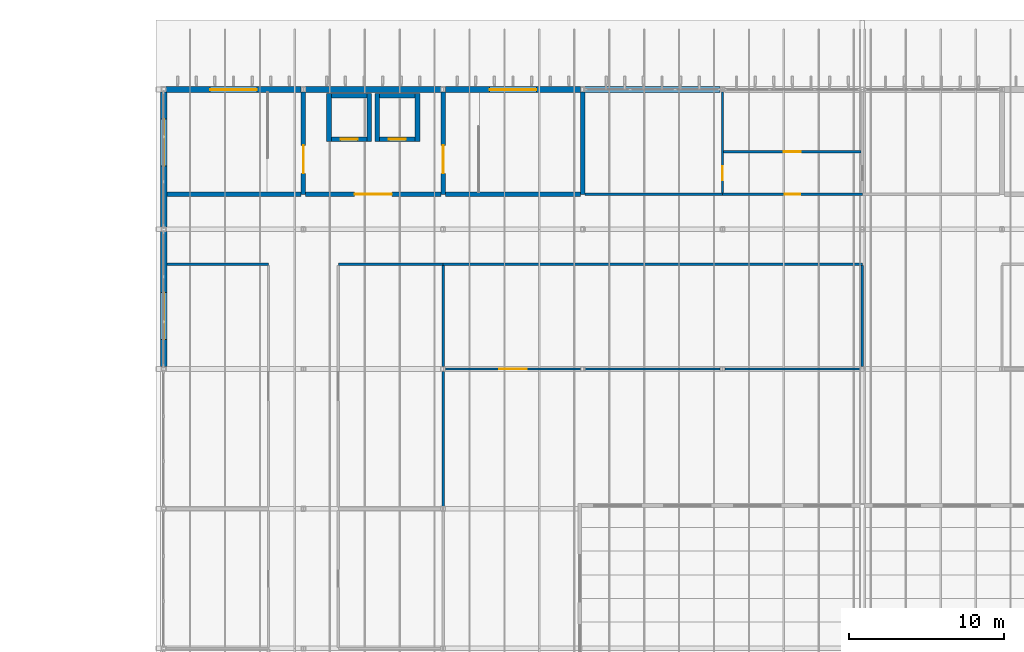
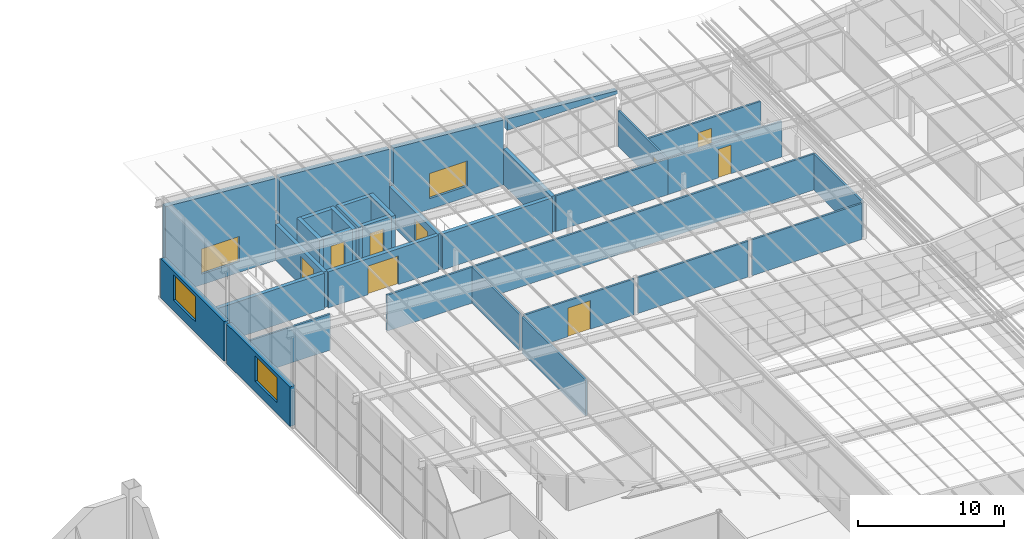
# One storey, part 75 of 85: 33 walls, 9 doors, 4 windows, 13 openings.
"""IFC4 building model written with IfcOpenShell, lengths in metres."""

from ifc_helpers import new_model, si_unit, direction, frame, frame_2d, origin, place, context, subcontext, project, spatial, polyline, rectangle, outline, extrude, material, layer, layer_set, type_object, element, fill, save


model = new_model("IFC4")

# Units and contexts
model_context = context("Model", 3, precision=1e-05, world=origin(), true_north=direction((0.0, 1.0)))
body_context = subcontext(model_context, "Body", "Model", "MODEL_VIEW")
ifc_project = project(units=[si_unit("LENGTHUNIT", "METRE"), si_unit("AREAUNIT", "SQUARE_METRE"), si_unit("VOLUMEUNIT", "CUBIC_METRE"), si_unit("PLANEANGLEUNIT", "RADIAN"), si_unit("MASSUNIT", "GRAM", prefix="KILO")], contexts=[model_context])

# Site, building, storey
site_placement = place(None, origin())
site = spatial("IfcSite", under=ifc_project, at=site_placement, CompositionType="ELEMENT")
building_placement = place(site_placement, origin())
building = spatial("IfcBuilding", under=site, at=building_placement, Name="Opaline Strait Convention Centre", CompositionType="ELEMENT")
storey_placement = place(building_placement, frame((0.0, 0.0, 17.0)))
storey = spatial("IfcBuildingStorey", under=building, at=storey_placement, Name="L03", CompositionType="ELEMENT", Elevation=17.0)

# Walls
ifc_material_1 = material(Name="Gypsum board")
ifc_layer_1 = layer(ifc_material_1, 0.032470703125)
ifc_material_2 = material(Name="Steel stud and mineral wool", Category="steel")
ifc_layer_2 = layer(ifc_material_2, 0.0849609375)
ifc_layer_3 = layer(ifc_material_1, 0.032470703125)
ifc_layer_set_1 = layer_set([ifc_layer_1, ifc_layer_2, ifc_layer_3], Name="Gypsum board, Steel stud and mineral wool, Gypsum board")
wall_type_1 = type_object("IfcWallType", Name="Corridor partition 150 EI60", PredefinedType="PARTITIONING", material=ifc_layer_set_1)
wall_1_placement = place(storey_placement, frame((279.199951171875, 168.75, 0.0), z_axis=(0.0, 0.0, 1.0), x_axis=(1.0, 0.0, 0.0)))
element("IfcWall", 1, at=wall_1_placement, inside=storey, type_object=wall_type_1, Name="MPW1 partition Meeting Room 3.06 N", PredefinedType="PARTITIONING", context=body_context, shape_type="SweptSolid", body=[
    extrude(rectangle(XDim=6.550048828125, YDim=0.14990234375, at=frame_2d((3.27490234375, 0.0))), origin(), (0.0, 0.0, 1.0), 3.0),
])
wall_2_placement = place(storey_placement, frame((290.25, 168.75, 0.0), z_axis=(0.0, 0.0, 1.0), x_axis=(1.0, 0.0, 0.0)))
element("IfcWall", 2, at=wall_2_placement, inside=storey, type_object=wall_type_1, Name="MPW1 partition Meeting Room 3.11 N", PredefinedType="PARTITIONING", context=body_context, shape_type="SweptSolid", body=[
    extrude(rectangle(XDim=6.75, YDim=0.14990234375, at=frame_2d((3.375, 0.0))), origin(), (0.0, 0.0, 1.0), 3.0),
])
wall_3_placement = place(storey_placement, frame((297.0, 153.14990234375, 0.0), z_axis=(0.0, 0.0, 1.0), x_axis=(0.0, 1.0, 0.0)))
element("IfcWall", 3, at=wall_3_placement, inside=storey, type_object=wall_type_1, Name="MPW1 partition Meeting Room 3.11 E", PredefinedType="PARTITIONING", context=body_context, shape_type="SweptSolid", body=[
    extrude(rectangle(XDim=8.7001953125, YDim=0.14990234375, at=frame_2d((4.35009765625, 0.0))), origin(), (0.0, 0.0, 1.0), 3.0),
])
wall_4_placement = place(storey_placement, frame((297.0, 162.14990234375, 0.0), z_axis=(0.0, 0.0, 1.0), x_axis=(0.0, 1.0, 0.0)))
element("IfcWall", 4, at=wall_4_placement, inside=storey, type_object=wall_type_1, Name="MPW1 partition Meeting Room 3.11 E", PredefinedType="PARTITIONING", context=body_context, shape_type="SweptSolid", body=[
    extrude(rectangle(XDim=6.525146484375, YDim=0.14990234375, at=frame_2d((3.2626953125, 0.0))), origin(), (0.0, 0.0, 1.0), 3.0),
])

# Wall, opening, door
wall_5_placement = place(storey_placement, frame((297.14990234375, 162.0, 0.0), z_axis=(0.0, 0.0, 1.0), x_axis=(1.0, 0.0, 0.0)))
wall_5 = element("IfcWall", 5, at=wall_5_placement, inside=storey, type_object=wall_type_1, Name="MPW1 partition Seminar Room 3.19 S", PredefinedType="PARTITIONING", context=body_context, shape_type="SweptSolid", body=[
    extrude(rectangle(XDim=8.7001953125, YDim=0.14990234375, at=frame_2d((4.35009765625, 0.0))), origin(), (0.0, 0.0, 1.0), 3.0),
])
opening_1_placement = place(wall_5_placement, frame((3.4501953125, 0.0, 0.0)))
opening_1 = element("IfcOpeningElement", 6, at=opening_1_placement, cuts=wall_5, Name="Opening M3-039", PredefinedType="OPENING", context=body_context, shape_type="SweptSolid", body=[
    extrude(rectangle(XDim=1.800048828125, YDim=2.39990234375, at=frame_2d((0.89990234375, 1.199951171875))), frame((0.0, 0.0849609375, 0.0), z_axis=(0.0, -1.0, 0.0), x_axis=(1.0, 0.0, 0.0)), (0.0, 0.0, 1.0), 0.169921875),
])
ifc_material_3 = material(Name="Solid-core timber leaf, steel frame door set", Category="steel")
door_type_1 = type_object("IfcDoorType", Name="Meeting room double door FD30 1800 x 2400", OperationType="DOUBLE_DOOR_SINGLE_SWING", PredefinedType="DOOR", material=ifc_material_3)
door_1_placement = place(opening_1_placement, frame((1.800048828125, 0.0, 0.0), z_axis=(0.0, 0.0, 1.0), x_axis=(-1.0, 0.0, 0.0)))
door_1 = element("IfcDoor", 7, at=door_1_placement, inside=storey, type_object=door_type_1, Name="Door Seminar Room 3.19", ObjectType="MD7", OperationType="DOUBLE_DOOR_SINGLE_SWING", OverallHeight=2.39990234375, OverallWidth=1.800048828125, PredefinedType="DOOR", context=body_context, shape_type="SweptSolid", body=[
    extrude(rectangle(XDim=1.800048828125, YDim=2.39990234375, at=frame_2d((0.89990234375, 1.199951171875))), frame((0.0, 0.02490234375, 0.0), z_axis=(0.0, -1.0, 0.0), x_axis=(1.0, 0.0, 0.0)), (0.0, 0.0, 1.0), 0.050048828125),
])
fill(opening_1, door_1)

# Walls
for number, where, z_axis, x_axis, name in (
    (8, (306.14990234375, 162.0, 0.0), (0.0, 0.0, 1.0), (1.0, 0.0, 0.0), "MPW1 partition Seminar Room 3.19 S"),
    (9, (315.14990234375, 162.0, 0.0), (0.0, 0.0, 1.0), (1.0, 0.0, 0.0), "MPW1 partition Seminar Room 3.19 S"),
):
    element("IfcWall", number, at=place(storey_placement, frame(where, z_axis=z_axis, x_axis=x_axis)), inside=storey, type_object=wall_type_1, Name=name, PredefinedType="PARTITIONING", context=body_context, shape_type="SweptSolid", body=[
        extrude(rectangle(XDim=8.7001953125, YDim=0.14990234375, at=frame_2d((4.35009765625, 0.0))), origin(), (0.0, 0.0, 1.0), 3.0),
    ])
wall_6_placement = place(storey_placement, frame((297.0, 168.75, 0.0), z_axis=(0.0, 0.0, 1.0), x_axis=(1.0, 0.0, 0.0)))
element("IfcWall", 10, at=wall_6_placement, inside=storey, type_object=wall_type_1, Name="MPW1 partition Seminar Room 3.19 N", PredefinedType="PARTITIONING", context=body_context, shape_type="SweptSolid", body=[
    extrude(rectangle(XDim=27.0, YDim=0.14990234375, at=frame_2d((13.5, 0.0))), origin(), (0.0, 0.0, 1.0), 3.0),
])
wall_7_placement = place(storey_placement, frame((324.0, 162.14990234375, 0.0), z_axis=(0.0, 0.0, 1.0), x_axis=(0.0, 1.0, 0.0)))
element("IfcWall", 11, at=wall_7_placement, inside=storey, type_object=wall_type_1, Name="MPW1 partition Seminar Room 3.19 E", PredefinedType="PARTITIONING", context=body_context, shape_type="SweptSolid", body=[
    extrude(rectangle(XDim=6.525146484375, YDim=0.14990234375, at=frame_2d((3.2626953125, 0.0))), origin(), (0.0, 0.0, 1.0), 3.0),
])
wall_8_placement = place(storey_placement, frame((306.14990234375, 173.25, 0.0), z_axis=(0.0, 0.0, 1.0), x_axis=(1.0, 0.0, 0.0)))
element("IfcWall", 12, at=wall_8_placement, inside=storey, type_object=wall_type_1, Name="MPW1 partition Men's WC 3.N S", PredefinedType="PARTITIONING", context=body_context, shape_type="SweptSolid", body=[
    extrude(rectangle(XDim=8.85009765625, YDim=0.14990234375, at=frame_2d((4.425048828125, 0.0))), origin(), (0.0, 0.0, 1.0), 3.0),
])

# Wall, opening, door
wall_9_placement = place(storey_placement, frame((315.0, 173.25, 0.0), z_axis=(0.0, 0.0, 1.0), x_axis=(1.0, 0.0, 0.0)))
wall_9 = element("IfcWall", 13, at=wall_9_placement, inside=storey, type_object=wall_type_1, Name="MPW1 partition WC Lobby 3.N S", PredefinedType="PARTITIONING", context=body_context, shape_type="SweptSolid", body=[
    extrude(rectangle(XDim=9.0, YDim=0.14990234375, at=frame_2d((4.5, 0.0))), origin(), (0.0, 0.0, 1.0), 3.0),
])
opening_2_placement = place(wall_9_placement, frame((4.0, 0.0, 0.0)))
opening_2 = element("IfcOpeningElement", 14, at=opening_2_placement, cuts=wall_9, Name="Opening M3-054", PredefinedType="OPENING", context=body_context, shape_type="SweptSolid", body=[
    extrude(rectangle(XDim=1.0, YDim=2.39990234375, at=frame_2d((0.5, 1.199951171875))), frame((0.0, 0.0849609375, 0.0), z_axis=(0.0, -1.0, 0.0), x_axis=(1.0, 0.0, 0.0)), (0.0, 0.0, 1.0), 0.169921875),
])
door_type_2 = type_object("IfcDoorType", Name="Meeting room door FD30 1000 x 2400", OperationType="SINGLE_SWING_LEFT", PredefinedType="DOOR", material=ifc_material_3)
door_2_placement = place(opening_2_placement, frame((1.0, 0.0, 0.0), z_axis=(0.0, 0.0, 1.0), x_axis=(-1.0, 0.0, 0.0)))
door_2 = element("IfcDoor", 15, at=door_2_placement, inside=storey, type_object=door_type_2, Name="Door WC Lobby 3.N", ObjectType="MD8", OperationType="SINGLE_SWING_LEFT", OverallHeight=2.39990234375, OverallWidth=1.0, PredefinedType="DOOR", context=body_context, shape_type="SweptSolid", body=[
    extrude(rectangle(XDim=1.0, YDim=2.39990234375, at=frame_2d((0.5, 1.199951171875))), frame((0.0, 0.02490234375, 0.0), z_axis=(0.0, -1.0, 0.0), x_axis=(1.0, 0.0, 0.0)), (0.0, 0.0, 1.0), 0.050048828125),
])
fill(opening_2, door_2)

# Wall, opening, window
ifc_material_4 = material(Name="Concrete C40 precast", Category="concrete")
ifc_layer_4 = layer(ifc_material_4, 0.10009765625)
ifc_material_5 = material(Name="Mineral wool insulation")
ifc_layer_5 = layer(ifc_material_5, 0.14990234375)
ifc_layer_6 = layer(ifc_material_4, 0.14990234375)
ifc_layer_set_2 = layer_set([ifc_layer_4, ifc_layer_5, ifc_layer_6], Name="Concrete C40 precast, Mineral wool insulation, Concrete C40 precast")
wall_type_2 = type_object("IfcWallType", Name="External wall 400 insulated precast EI60", PredefinedType="STANDARD", material=ifc_layer_set_2)
wall_10_placement = place(storey_placement, frame((279.14990234375, 180.0, 0.0), z_axis=(0.0, 0.0, 1.0), x_axis=(1.0, 0.0, 0.0)))
wall_10 = element("IfcWall", 16, at=wall_10_placement, inside=storey, type_object=wall_type_2, Name="External wall N L03 32/W", PredefinedType="STANDARD", context=body_context, shape_type="SweptSolid", body=[
    extrude(outline(polyline([(0.0, 0.0), (8.7001953125, 0.0), (8.699951171875, 6.844970703125), (0.0, 7.52978515625), (0.0, 0.0)])), frame((0.0, 0.199951171875, 0.0), z_axis=(0.0, -1.0, 0.0), x_axis=(1.0, 0.0, 0.0)), (0.0, 0.0, 1.0), 0.39990234375),
])
opening_3_placement = place(wall_10_placement, frame((2.85009765625, 0.0, 0.89990234375)))
opening_3 = element("IfcOpeningElement", 17, at=opening_3_placement, cuts=wall_10, Name="Opening MW2", PredefinedType="OPENING", context=body_context, shape_type="SweptSolid", body=[
    extrude(rectangle(XDim=3.0, YDim=2.10009765625, at=frame_2d((1.5, 1.050048828125))), frame((0.0, 0.2099609375, 0.0), z_axis=(0.0, -1.0, 0.0), x_axis=(1.0, 0.0, 0.0)), (0.0, 0.0, 1.0), 0.419921875),
])
ifc_material_6 = material(Name="Aluminium framed double glazing", Category="aluminium")
window_type = type_object("IfcWindowType", Name="Window 3000 x 2100", PartitioningType="TRIPLE_PANEL_VERTICAL", PredefinedType="WINDOW", material=ifc_material_6)
window_1_placement = place(opening_3_placement, origin())
window_1 = element("IfcWindow", 18, at=window_1_placement, inside=storey, type_object=window_type, Name="Window Escape Stair S5 N", OverallHeight=2.10009765625, OverallWidth=3.0, PartitioningType="TRIPLE_PANEL_VERTICAL", PredefinedType="WINDOW", context=body_context, shape_type="SweptSolid", body=[
    extrude(rectangle(XDim=3.0, YDim=2.10009765625, at=frame_2d((1.5, 1.050048828125))), frame((0.0, 0.030029296875, 0.0), z_axis=(0.0, -1.0, 0.0), x_axis=(1.0, 0.0, 0.0)), (0.0, 0.0, 1.0), 0.06005859375),
])
fill(opening_3, window_1)

# Wall
wall_11_placement = place(storey_placement, frame((288.14990234375, 180.0, 0.0), z_axis=(0.0, 0.0, 1.0), x_axis=(1.0, 0.0, 0.0)))
element("IfcWall", 19, at=wall_11_placement, inside=storey, type_object=wall_type_2, Name="External wall N L03 33/W", PredefinedType="STANDARD", context=body_context, shape_type="SweptSolid", body=[
    extrude(outline(polyline([(0.0, 0.0), (8.7001953125, 0.0), (8.699951171875, 6.13671875), (0.0, 6.821533203125), (0.0, 0.0)])), frame((0.0, 0.199951171875, 0.0), z_axis=(0.0, -1.0, 0.0), x_axis=(1.0, 0.0, 0.0)), (0.0, 0.0, 1.0), 0.39990234375),
])

# Wall, opening, window
wall_12_placement = place(storey_placement, frame((297.14990234375, 180.0, 0.0), z_axis=(0.0, 0.0, 1.0), x_axis=(1.0, 0.0, 0.0)))
wall_12 = element("IfcWall", 20, at=wall_12_placement, inside=storey, type_object=wall_type_2, Name="External wall N L03 34/W", PredefinedType="STANDARD", context=body_context, shape_type="SweptSolid", body=[
    extrude(outline(polyline([(0.0, 0.0), (8.7001953125, 0.0), (8.699951171875, 5.428466796875), (0.0, 6.113037109375), (0.0, 0.0)])), frame((0.0, 0.199951171875, 0.0), z_axis=(0.0, -1.0, 0.0), x_axis=(1.0, 0.0, 0.0)), (0.0, 0.0, 1.0), 0.39990234375),
])
opening_4_placement = place(wall_12_placement, frame((2.85009765625, 0.0, 0.89990234375)))
opening_4 = element("IfcOpeningElement", 21, at=opening_4_placement, cuts=wall_12, Name="Opening MW2", PredefinedType="OPENING", context=body_context, shape_type="SweptSolid", body=[
    extrude(rectangle(XDim=3.0, YDim=2.10009765625, at=frame_2d((1.5, 1.050048828125))), frame((0.0, 0.2099609375, 0.0), z_axis=(0.0, -1.0, 0.0), x_axis=(1.0, 0.0, 0.0)), (0.0, 0.0, 1.0), 0.419921875),
])
window_2_placement = place(opening_4_placement, origin())
window_2 = element("IfcWindow", 22, at=window_2_placement, inside=storey, type_object=window_type, Name="Window Escape Stair S6 N", OverallHeight=2.10009765625, OverallWidth=3.0, PartitioningType="TRIPLE_PANEL_VERTICAL", PredefinedType="WINDOW", context=body_context, shape_type="SweptSolid", body=[
    extrude(rectangle(XDim=3.0, YDim=2.10009765625, at=frame_2d((1.5, 1.050048828125))), frame((0.0, 0.030029296875, 0.0), z_axis=(0.0, -1.0, 0.0), x_axis=(1.0, 0.0, 0.0)), (0.0, 0.0, 1.0), 0.06005859375),
])
fill(opening_4, window_2)

# Wall
wall_13_placement = place(storey_placement, frame((306.14990234375, 180.0, 4.449951171875), z_axis=(0.0, 0.0, 1.0), x_axis=(1.0, 0.0, 0.0)))
element("IfcWall", 23, at=wall_13_placement, inside=storey, type_object=wall_type_2, Name="External wall N L03 35/W", PredefinedType="STANDARD", context=body_context, shape_type="SweptSolid", body=[
    extrude(outline(polyline([(0.0, 0.0), (8.7001953125, 0.0), (8.699951171875, 0.270263671875), (0.0, 0.954833984375), (0.0, 0.0)])), frame((0.0, 0.199951171875, 0.0), z_axis=(0.0, -1.0, 0.0), x_axis=(1.0, 0.0, 0.0)), (0.0, 0.0, 1.0), 0.39990234375),
])

# Wall, opening, window
wall_14_placement = place(storey_placement, frame((279.0, 162.14990234375, 0.0), z_axis=(0.0, 0.0, 1.0), x_axis=(0.0, 1.0, 0.0)))
wall_14 = element("IfcWall", 24, at=wall_14_placement, inside=storey, type_object=wall_type_2, Name="External wall W L03 32/U", PredefinedType="STANDARD", context=body_context, shape_type="SweptSolid", body=[
    extrude(rectangle(XDim=8.7001953125, YDim=0.39990234375, at=frame_2d((4.35009765625, 0.0))), origin(), (0.0, 0.0, 1.0), 3.300048828125),
])
opening_5_placement = place(wall_14_placement, frame((1.7626953125, 0.0, 0.89990234375)))
opening_5 = element("IfcOpeningElement", 25, at=opening_5_placement, cuts=wall_14, Name="Opening MW2", PredefinedType="OPENING", context=body_context, shape_type="SweptSolid", body=[
    extrude(rectangle(XDim=3.0, YDim=2.10009765625, at=frame_2d((1.5, 1.050048828125))), frame((0.0, 0.2099609375, 0.0), z_axis=(0.0, -1.0, 0.0), x_axis=(1.0, 0.0, 0.0)), (0.0, 0.0, 1.0), 0.419921875),
])
window_3_placement = place(opening_5_placement, origin())
window_3 = element("IfcWindow", 26, at=window_3_placement, inside=storey, type_object=window_type, Name="Window Meeting Room 3.06 W", OverallHeight=2.10009765625, OverallWidth=3.0, PartitioningType="TRIPLE_PANEL_VERTICAL", PredefinedType="WINDOW", context=body_context, shape_type="SweptSolid", body=[
    extrude(rectangle(XDim=3.0, YDim=2.10009765625, at=frame_2d((1.5, 1.050048828125))), frame((0.0, 0.030029296875, 0.0), z_axis=(0.0, -1.0, 0.0), x_axis=(1.0, 0.0, 0.0)), (0.0, 0.0, 1.0), 0.06005859375),
])
fill(opening_5, window_3)

wall_15_placement = place(storey_placement, frame((279.0, 171.14990234375, 0.0), z_axis=(0.0, 0.0, 1.0), x_axis=(0.0, 1.0, 0.0)))
wall_15 = element("IfcWall", 27, at=wall_15_placement, inside=storey, type_object=wall_type_2, Name="External wall W L03 32/V", PredefinedType="STANDARD", context=body_context, shape_type="SweptSolid", body=[
    extrude(rectangle(XDim=8.7001953125, YDim=0.39990234375, at=frame_2d((4.35009765625, 0.0))), origin(), (0.0, 0.0, 1.0), 3.300048828125),
])
opening_6_placement = place(wall_15_placement, frame((3.9375, 0.0, 0.89990234375)))
opening_6 = element("IfcOpeningElement", 28, at=opening_6_placement, cuts=wall_15, Name="Opening MW2", PredefinedType="OPENING", context=body_context, shape_type="SweptSolid", body=[
    extrude(rectangle(XDim=3.0, YDim=2.10009765625, at=frame_2d((1.5, 1.050048828125))), frame((0.0, 0.2099609375, 0.0), z_axis=(0.0, -1.0, 0.0), x_axis=(1.0, 0.0, 0.0)), (0.0, 0.0, 1.0), 0.419921875),
])
window_4_placement = place(opening_6_placement, origin())
window_4 = element("IfcWindow", 29, at=window_4_placement, inside=storey, type_object=window_type, Name="Window Escape Stair S5 W", OverallHeight=2.10009765625, OverallWidth=3.0, PartitioningType="TRIPLE_PANEL_VERTICAL", PredefinedType="WINDOW", context=body_context, shape_type="SweptSolid", body=[
    extrude(rectangle(XDim=3.0, YDim=2.10009765625, at=frame_2d((1.5, 1.050048828125))), frame((0.0, 0.030029296875, 0.0), z_axis=(0.0, -1.0, 0.0), x_axis=(1.0, 0.0, 0.0)), (0.0, 0.0, 1.0), 0.06005859375),
])
fill(opening_6, window_4)

# Wall, opening, door
ifc_material_7 = material(Name="Concrete C40", Category="concrete")
ifc_layer_7 = layer(ifc_material_7, 0.300048828125)
ifc_layer_set_3 = layer_set([ifc_layer_7], Name="Concrete C40")
wall_type_3 = type_object("IfcWallType", Name="RC core wall 300 C40", PredefinedType="SHEAR", material=ifc_layer_set_3)
wall_16_placement = place(storey_placement, frame((288.0, 173.25, 0.0), z_axis=(0.0, 0.0, 1.0), x_axis=(0.0, 1.0, 0.0)))
wall_16 = element("IfcWall", 30, at=wall_16_placement, inside=storey, type_object=wall_type_3, Name="Core wall NW-L03", PredefinedType="SHEAR", context=body_context, shape_type="SweptSolid", body=[
    extrude(rectangle(XDim=6.60009765625, YDim=0.300048828125, at=frame_2d((3.300048828125, 0.0))), origin(), (0.0, 0.0, 1.0), 3.0),
])
opening_7_placement = place(wall_16_placement, frame((1.35009765625, 0.0, 0.0)))
opening_7 = element("IfcOpeningElement", 31, at=opening_7_placement, cuts=wall_16, Name="Opening M3-011", PredefinedType="OPENING", context=body_context, shape_type="SweptSolid", body=[
    extrude(rectangle(XDim=1.800048828125, YDim=2.39990234375, at=frame_2d((0.89990234375, 1.199951171875))), frame((0.0, 0.159912109375, 0.0), z_axis=(0.0, -1.0, 0.0), x_axis=(1.0, 0.0, 0.0)), (0.0, 0.0, 1.0), 0.320068359375),
])
ifc_material_8 = material(Name="Steel Q235B", Category="steel")
door_type_3 = type_object("IfcDoorType", Name="Stair door FD60 1800 x 2400", OperationType="DOUBLE_DOOR_SINGLE_SWING", PredefinedType="DOOR", material=ifc_material_8)
door_3_placement = place(opening_7_placement, frame((1.800048828125, 0.0, 0.0), z_axis=(0.0, 0.0, 1.0), x_axis=(-1.0, 0.0, 0.0)))
door_3 = element("IfcDoor", 32, at=door_3_placement, inside=storey, type_object=door_type_3, Name="Escape stair S5 door L03", ObjectType="MD4", OperationType="DOUBLE_DOOR_SINGLE_SWING", OverallHeight=2.39990234375, OverallWidth=1.800048828125, PredefinedType="DOOR", context=body_context, shape_type="SweptSolid", body=[
    extrude(rectangle(XDim=1.800048828125, YDim=2.39990234375, at=frame_2d((0.89990234375, 1.199951171875))), frame((0.0, 0.02490234375, 0.0), z_axis=(0.0, -1.0, 0.0), x_axis=(1.0, 0.0, 0.0)), (0.0, 0.0, 1.0), 0.050048828125),
])
fill(opening_7, door_3)

wall_17_placement = place(storey_placement, frame((297.0, 173.25, 0.0), z_axis=(0.0, 0.0, 1.0), x_axis=(0.0, 1.0, 0.0)))
wall_17 = element("IfcWall", 33, at=wall_17_placement, inside=storey, type_object=wall_type_3, Name="Core wall NW-L03", PredefinedType="SHEAR", context=body_context, shape_type="SweptSolid", body=[
    extrude(rectangle(XDim=6.60009765625, YDim=0.300048828125, at=frame_2d((3.300048828125, 0.0))), origin(), (0.0, 0.0, 1.0), 3.0),
])
opening_8_placement = place(wall_17_placement, frame((1.35009765625, 0.0, 0.0)))
opening_8 = element("IfcOpeningElement", 34, at=opening_8_placement, cuts=wall_17, Name="Opening M3-012", PredefinedType="OPENING", context=body_context, shape_type="SweptSolid", body=[
    extrude(rectangle(XDim=1.800048828125, YDim=2.39990234375, at=frame_2d((0.89990234375, 1.199951171875))), frame((0.0, 0.159912109375, 0.0), z_axis=(0.0, -1.0, 0.0), x_axis=(1.0, 0.0, 0.0)), (0.0, 0.0, 1.0), 0.320068359375),
])
door_4_placement = place(opening_8_placement, origin())
door_4 = element("IfcDoor", 35, at=door_4_placement, inside=storey, type_object=door_type_3, Name="Escape stair S6 door L03", ObjectType="MD4", OperationType="DOUBLE_DOOR_SINGLE_SWING", OverallHeight=2.39990234375, OverallWidth=1.800048828125, PredefinedType="DOOR", context=body_context, shape_type="SweptSolid", body=[
    extrude(rectangle(XDim=1.800048828125, YDim=2.39990234375, at=frame_2d((0.89990234375, 1.199951171875))), frame((0.0, 0.02490234375, 0.0), z_axis=(0.0, -1.0, 0.0), x_axis=(1.0, 0.0, 0.0)), (0.0, 0.0, 1.0), 0.050048828125),
])
fill(opening_8, door_4)

# Walls
wall_18_placement = place(storey_placement, frame((306.0, 173.25, 0.0), z_axis=(0.0, 0.0, 1.0), x_axis=(0.0, 1.0, 0.0)))
element("IfcWall", 36, at=wall_18_placement, inside=storey, type_object=wall_type_3, Name="Core wall NW-L03", PredefinedType="SHEAR", context=body_context, shape_type="SweptSolid", body=[
    extrude(rectangle(XDim=6.60009765625, YDim=0.300048828125, at=frame_2d((3.300048828125, 0.0))), origin(), (0.0, 0.0, 1.0), 3.0),
])
wall_19_placement = place(storey_placement, frame((279.199951171875, 173.25, 0.0), z_axis=(0.0, 0.0, 1.0), x_axis=(1.0, 0.0, 0.0)))
element("IfcWall", 37, at=wall_19_placement, inside=storey, type_object=wall_type_3, Name="Core wall NW-L03", PredefinedType="SHEAR", context=body_context, shape_type="SweptSolid", body=[
    extrude(rectangle(XDim=8.650146484375, YDim=0.300048828125, at=frame_2d((4.3251953125, 0.0))), origin(), (0.0, 0.0, 1.0), 3.0),
])

# Wall, opening, door
wall_20_placement = place(storey_placement, frame((288.14990234375, 173.25, 0.0), z_axis=(0.0, 0.0, 1.0), x_axis=(1.0, 0.0, 0.0)))
wall_20 = element("IfcWall", 38, at=wall_20_placement, inside=storey, type_object=wall_type_3, Name="Core wall NW-L03", PredefinedType="SHEAR", context=body_context, shape_type="SweptSolid", body=[
    extrude(rectangle(XDim=8.7001953125, YDim=0.300048828125, at=frame_2d((4.35009765625, 0.0))), origin(), (0.0, 0.0, 1.0), 3.0),
])
opening_9_placement = place(wall_20_placement, frame((3.150146484375, 0.0, 0.0)))
opening_9 = element("IfcOpeningElement", 39, at=opening_9_placement, cuts=wall_20, Name="Opening M3-013", PredefinedType="OPENING", context=body_context, shape_type="SweptSolid", body=[
    extrude(rectangle(XDim=2.39990234375, YDim=2.39990234375, at=frame_2d((1.199951171875, 1.199951171875))), frame((0.0, 0.159912109375, 0.0), z_axis=(0.0, -1.0, 0.0), x_axis=(1.0, 0.0, 0.0)), (0.0, 0.0, 1.0), 0.320068359375),
])
door_type_4 = type_object("IfcDoorType", Name="Lift lobby double door FD60 2400 x 2400", OperationType="DOUBLE_DOOR_SINGLE_SWING", PredefinedType="DOOR", material=ifc_material_8)
door_5_placement = place(opening_9_placement, frame((2.39990234375, 0.0, 0.0), z_axis=(0.0, 0.0, 1.0), x_axis=(-1.0, 0.0, 0.0)))
door_5 = element("IfcDoor", 40, at=door_5_placement, inside=storey, type_object=door_type_4, Name="Lift lobby NW door L03", ObjectType="MD5", OperationType="DOUBLE_DOOR_SINGLE_SWING", OverallHeight=2.39990234375, OverallWidth=2.39990234375, PredefinedType="DOOR", context=body_context, shape_type="SweptSolid", body=[
    extrude(rectangle(XDim=2.39990234375, YDim=2.39990234375, at=frame_2d((1.199951171875, 1.199951171875))), frame((0.0, 0.02490234375, 0.0), z_axis=(0.0, -1.0, 0.0), x_axis=(1.0, 0.0, 0.0)), (0.0, 0.0, 1.0), 0.050048828125),
])
fill(opening_9, door_5)

# Walls
wall_21_placement = place(storey_placement, frame((297.14990234375, 173.25, 0.0), z_axis=(0.0, 0.0, 1.0), x_axis=(1.0, 0.0, 0.0)))
element("IfcWall", 41, at=wall_21_placement, inside=storey, type_object=wall_type_3, Name="Core wall NW-L03", PredefinedType="SHEAR", context=body_context, shape_type="SweptSolid", body=[
    extrude(rectangle(XDim=8.7001953125, YDim=0.300048828125, at=frame_2d((4.35009765625, 0.0))), origin(), (0.0, 0.0, 1.0), 3.0),
])
ifc_layer_8 = layer(ifc_material_7, 0.300048828125)
ifc_layer_set_4 = layer_set([ifc_layer_8], Name="Concrete C40")
wall_type_4 = type_object("IfcWallType", Name="RC lift shaft wall 300 C40", PredefinedType="SHEAR", material=ifc_layer_set_4)
for number, where, z_axis, x_axis, name in (
    (42, (289.64990234375, 176.64990234375, 0.0), (0.0, 0.0, 1.0), (0.0, 1.0, 0.0), "Lift shaft NW1 wall L03"),
    (43, (292.25, 176.64990234375, 0.0), (0.0, 0.0, 1.0), (0.0, 1.0, 0.0), "Lift shaft NW1 wall L03"),
):
    element("IfcWall", number, at=place(storey_placement, frame(where, z_axis=z_axis, x_axis=x_axis)), inside=storey, type_object=wall_type_4, Name=name, PredefinedType="SHEAR", context=body_context, shape_type="SweptSolid", body=[
        extrude(rectangle(XDim=3.10009765625, YDim=0.300048828125, at=frame_2d((1.550048828125, 0.0))), origin(), (0.0, 0.0, 1.0), 3.0),
    ])
wall_22_placement = place(storey_placement, frame((289.800048828125, 179.60009765625, 0.0), z_axis=(0.0, 0.0, 1.0), x_axis=(1.0, 0.0, 0.0)))
element("IfcWall", 44, at=wall_22_placement, inside=storey, type_object=wall_type_4, Name="Lift shaft NW1 wall L03", PredefinedType="SHEAR", context=body_context, shape_type="SweptSolid", body=[
    extrude(rectangle(XDim=2.300048828125, YDim=0.300048828125, at=frame_2d((1.14990234375, 0.0))), origin(), (0.0, 0.0, 1.0), 3.0),
])

# Wall, opening, door
wall_23_placement = place(storey_placement, frame((289.800048828125, 176.800048828125, 0.0), z_axis=(0.0, 0.0, 1.0), x_axis=(1.0, 0.0, 0.0)))
wall_23 = element("IfcWall", 45, at=wall_23_placement, inside=storey, type_object=wall_type_4, Name="Lift shaft NW1 wall L03", PredefinedType="SHEAR", context=body_context, shape_type="SweptSolid", body=[
    extrude(rectangle(XDim=2.300048828125, YDim=0.300048828125, at=frame_2d((1.14990234375, 0.0))), origin(), (0.0, 0.0, 1.0), 3.0),
])
opening_10_placement = place(wall_23_placement, frame((0.599853515625, 0.0, 0.0)))
opening_10 = element("IfcOpeningElement", 46, at=opening_10_placement, cuts=wall_23, Name="Opening M3-014", PredefinedType="OPENING", context=body_context, shape_type="SweptSolid", body=[
    extrude(rectangle(XDim=1.10009765625, YDim=2.199951171875, at=frame_2d((0.550048828125, 1.10009765625))), frame((0.0, 0.159912109375, 0.0), z_axis=(0.0, -1.0, 0.0), x_axis=(1.0, 0.0, 0.0)), (0.0, 0.0, 1.0), 0.320068359375),
])
ifc_material_9 = material(Name="Stainless steel 304", Category="steel")
door_type_5 = type_object("IfcDoorType", Name="Lift landing door FD60 1100 x 2200", OperationType="SLIDING_TO_LEFT", PredefinedType="DOOR", material=ifc_material_9)
door_6_placement = place(opening_10_placement, origin())
door_6 = element("IfcDoor", 47, at=door_6_placement, inside=storey, type_object=door_type_5, Name="Lift landing door NW1 L03", ObjectType="MD6", OperationType="SLIDING_TO_RIGHT", OverallHeight=2.199951171875, OverallWidth=1.10009765625, PredefinedType="DOOR", context=body_context, shape_type="SweptSolid", body=[
    extrude(rectangle(XDim=1.10009765625, YDim=2.199951171875, at=frame_2d((0.550048828125, 1.10009765625))), frame((0.0, 0.02490234375, 0.0), z_axis=(0.0, -1.0, 0.0), x_axis=(1.0, 0.0, 0.0)), (0.0, 0.0, 1.0), 0.050048828125),
])
fill(opening_10, door_6)

# Walls
for number, where, z_axis, x_axis, name in (
    (48, (292.75, 176.64990234375, 0.0), (0.0, 0.0, 1.0), (0.0, 1.0, 0.0), "Lift shaft NW2 wall L03"),
    (49, (295.35009765625, 176.64990234375, 0.0), (0.0, 0.0, 1.0), (0.0, 1.0, 0.0), "Lift shaft NW2 wall L03"),
):
    element("IfcWall", number, at=place(storey_placement, frame(where, z_axis=z_axis, x_axis=x_axis)), inside=storey, type_object=wall_type_4, Name=name, PredefinedType="SHEAR", context=body_context, shape_type="SweptSolid", body=[
        extrude(rectangle(XDim=3.10009765625, YDim=0.300048828125, at=frame_2d((1.550048828125, 0.0))), origin(), (0.0, 0.0, 1.0), 3.0),
    ])
wall_24_placement = place(storey_placement, frame((292.89990234375, 179.60009765625, 0.0), z_axis=(0.0, 0.0, 1.0), x_axis=(1.0, 0.0, 0.0)))
element("IfcWall", 50, at=wall_24_placement, inside=storey, type_object=wall_type_4, Name="Lift shaft NW2 wall L03", PredefinedType="SHEAR", context=body_context, shape_type="SweptSolid", body=[
    extrude(rectangle(XDim=2.300048828125, YDim=0.300048828125, at=frame_2d((1.14990234375, 0.0))), origin(), (0.0, 0.0, 1.0), 3.0),
])

# Wall, opening, door
wall_25_placement = place(storey_placement, frame((292.89990234375, 176.800048828125, 0.0), z_axis=(0.0, 0.0, 1.0), x_axis=(1.0, 0.0, 0.0)))
wall_25 = element("IfcWall", 51, at=wall_25_placement, inside=storey, type_object=wall_type_4, Name="Lift shaft NW2 wall L03", PredefinedType="SHEAR", context=body_context, shape_type="SweptSolid", body=[
    extrude(rectangle(XDim=2.300048828125, YDim=0.300048828125, at=frame_2d((1.14990234375, 0.0))), origin(), (0.0, 0.0, 1.0), 3.0),
])
opening_11_placement = place(wall_25_placement, frame((0.60009765625, 0.0, 0.0)))
opening_11 = element("IfcOpeningElement", 52, at=opening_11_placement, cuts=wall_25, Name="Opening M3-015", PredefinedType="OPENING", context=body_context, shape_type="SweptSolid", body=[
    extrude(rectangle(XDim=1.10009765625, YDim=2.199951171875, at=frame_2d((0.550048828125, 1.10009765625))), frame((0.0, 0.159912109375, 0.0), z_axis=(0.0, -1.0, 0.0), x_axis=(1.0, 0.0, 0.0)), (0.0, 0.0, 1.0), 0.320068359375),
])
door_7_placement = place(opening_11_placement, origin())
door_7 = element("IfcDoor", 53, at=door_7_placement, inside=storey, type_object=door_type_5, Name="Lift landing door NW2 L03", ObjectType="MD6", OperationType="SLIDING_TO_LEFT", OverallHeight=2.199951171875, OverallWidth=1.10009765625, PredefinedType="DOOR", context=body_context, shape_type="SweptSolid", body=[
    extrude(rectangle(XDim=1.10009765625, YDim=2.199951171875, at=frame_2d((0.550048828125, 1.10009765625))), frame((0.0, 0.02490234375, 0.0), z_axis=(0.0, -1.0, 0.0), x_axis=(1.0, 0.0, 0.0)), (0.0, 0.0, 1.0), 0.050048828125),
])
fill(opening_11, door_7)

ifc_layer_9 = layer(ifc_material_1, 0.032470703125)
ifc_layer_10 = layer(ifc_material_2, 0.0849609375)
ifc_layer_11 = layer(ifc_material_1, 0.032470703125)
ifc_layer_set_5 = layer_set([ifc_layer_9, ifc_layer_10, ifc_layer_11], Name="Gypsum board, Steel stud and mineral wool, Gypsum board")
wall_type_5 = type_object("IfcWallType", Name="Wet-area partition 150 EI45", PredefinedType="PARTITIONING", material=ifc_layer_set_5)
wall_26_placement = place(storey_placement, frame((315.0, 173.324951171875, 0.0), z_axis=(0.0, 0.0, 1.0), x_axis=(0.0, 1.0, 0.0)))
wall_26 = element("IfcWall", 54, at=wall_26_placement, inside=storey, type_object=wall_type_5, Name="MPW4 partition Men's WC 3.N E", PredefinedType="PARTITIONING", context=body_context, shape_type="SweptSolid", body=[
    extrude(rectangle(XDim=6.525146484375, YDim=0.14990234375, at=frame_2d((3.2626953125, 0.0))), origin(), (0.0, 0.0, 1.0), 3.0),
])
opening_12_placement = place(wall_26_placement, frame((0.824951171875, 0.0, 0.0)))
opening_12 = element("IfcOpeningElement", 55, at=opening_12_placement, cuts=wall_26, Name="Opening M3-051", PredefinedType="OPENING", context=body_context, shape_type="SweptSolid", body=[
    extrude(rectangle(XDim=0.89990234375, YDim=2.10009765625, at=frame_2d((0.449951171875, 1.050048828125))), frame((0.0, 0.0849609375, 0.0), z_axis=(0.0, -1.0, 0.0), x_axis=(1.0, 0.0, 0.0)), (0.0, 0.0, 1.0), 0.169921875),
])
door_type_6 = type_object("IfcDoorType", Name="WC door 900 x 2100", OperationType="SINGLE_SWING_LEFT", PredefinedType="DOOR", material=ifc_material_3)
door_8_placement = place(opening_12_placement, origin())
door_8 = element("IfcDoor", 56, at=door_8_placement, inside=storey, type_object=door_type_6, Name="Door Men's WC 3.N", ObjectType="MD11", OperationType="SINGLE_SWING_LEFT", OverallHeight=2.10009765625, OverallWidth=0.89990234375, PredefinedType="DOOR", context=body_context, shape_type="SweptSolid", body=[
    extrude(rectangle(XDim=0.89990234375, YDim=2.10009765625, at=frame_2d((0.449951171875, 1.050048828125))), frame((0.0, 0.02490234375, 0.0), z_axis=(0.0, -1.0, 0.0), x_axis=(1.0, 0.0, 0.0)), (0.0, 0.0, 1.0), 0.050048828125),
])
fill(opening_12, door_8)

wall_27_placement = place(storey_placement, frame((315.074951171875, 176.0, 0.0), z_axis=(0.0, 0.0, 1.0), x_axis=(1.0, 0.0, 0.0)))
wall_27 = element("IfcWall", 57, at=wall_27_placement, inside=storey, type_object=wall_type_5, Name="MPW4 partition Accessible WC 3.N S", PredefinedType="PARTITIONING", context=body_context, shape_type="SweptSolid", body=[
    extrude(rectangle(XDim=8.85009765625, YDim=0.14990234375, at=frame_2d((4.425048828125, 0.0))), origin(), (0.0, 0.0, 1.0), 3.0),
])
opening_13_placement = place(wall_27_placement, frame((3.875, 0.0, 0.0)))
opening_13 = element("IfcOpeningElement", 58, at=opening_13_placement, cuts=wall_27, Name="Opening M3-053", PredefinedType="OPENING", context=body_context, shape_type="SweptSolid", body=[
    extrude(rectangle(XDim=1.10009765625, YDim=2.10009765625, at=frame_2d((0.550048828125, 1.050048828125))), frame((0.0, 0.0849609375, 0.0), z_axis=(0.0, -1.0, 0.0), x_axis=(1.0, 0.0, 0.0)), (0.0, 0.0, 1.0), 0.169921875),
])
door_type_7 = type_object("IfcDoorType", Name="Accessible WC door 1100 x 2100", OperationType="SINGLE_SWING_LEFT", PredefinedType="DOOR", material=ifc_material_3)
door_9_placement = place(opening_13_placement, frame((1.10009765625, 0.0, 0.0), z_axis=(0.0, 0.0, 1.0), x_axis=(-1.0, 0.0, 0.0)))
door_9 = element("IfcDoor", 59, at=door_9_placement, inside=storey, type_object=door_type_7, Name="Door Accessible WC 3.N", ObjectType="MD12", OperationType="SINGLE_SWING_LEFT", OverallHeight=2.10009765625, OverallWidth=1.10009765625, PredefinedType="DOOR", context=body_context, shape_type="SweptSolid", body=[
    extrude(rectangle(XDim=1.10009765625, YDim=2.10009765625, at=frame_2d((0.550048828125, 1.050048828125))), frame((0.0, 0.02490234375, 0.0), z_axis=(0.0, -1.0, 0.0), x_axis=(1.0, 0.0, 0.0)), (0.0, 0.0, 1.0), 0.050048828125),
])
fill(opening_13, door_9)

save(model, "model.ifc")
